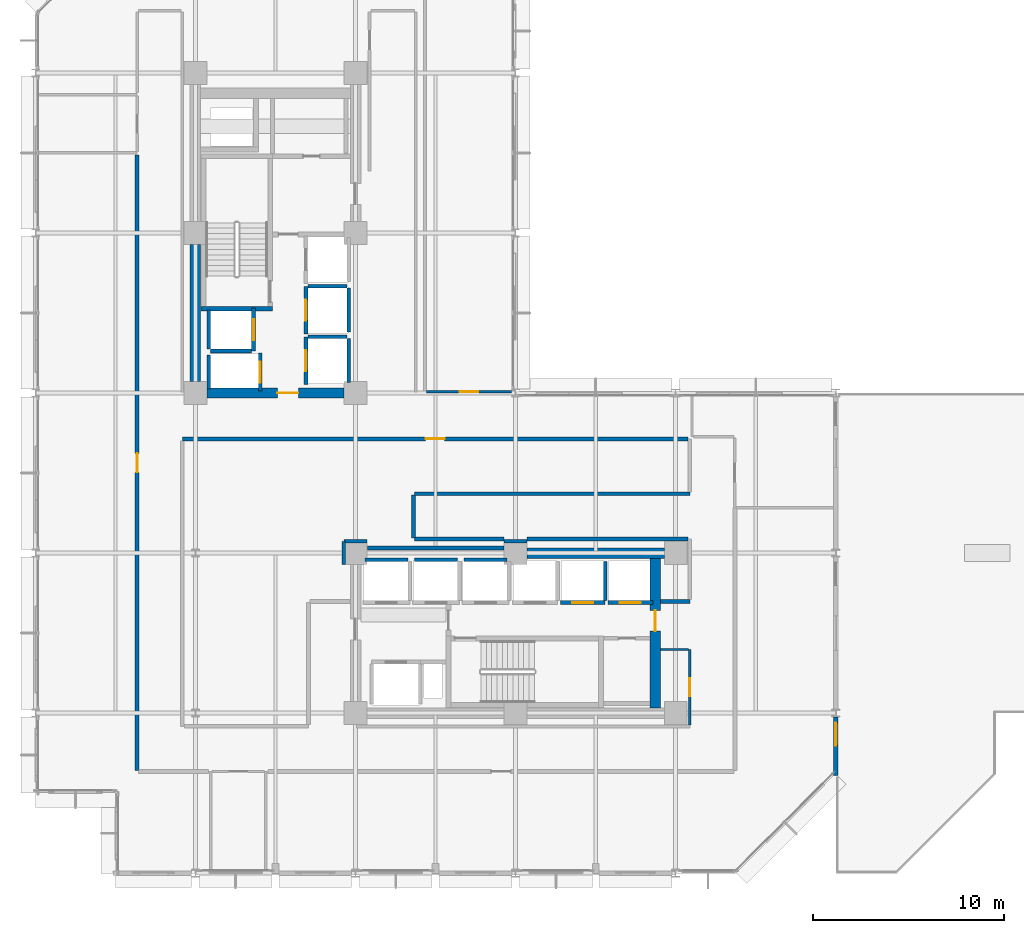
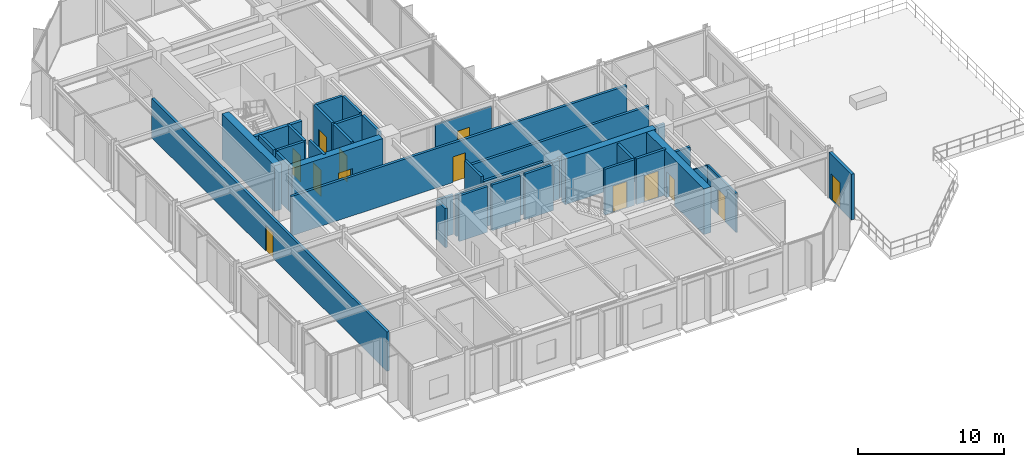
# One storey, part 19 of 25: 37 walls, 13 doors, 13 openings.
"""IFC4 building model written with IfcOpenShell, lengths in metres."""

from ifc_helpers import new_model, si_unit, direction, frame, frame_2d, origin, place, context, subcontext, project, spatial, rectangle, extrude, material, layer, layer_set, type_object, element, fill, save


model = new_model("IFC4")

# Units and contexts
model_context = context("Model", 3, precision=1e-05, world=origin(), true_north=direction((0.0, 1.0)))
body_context = subcontext(model_context, "Body", "Model", "MODEL_VIEW")
ifc_project = project(units=[si_unit("LENGTHUNIT", "METRE"), si_unit("AREAUNIT", "SQUARE_METRE"), si_unit("VOLUMEUNIT", "CUBIC_METRE"), si_unit("PLANEANGLEUNIT", "RADIAN"), si_unit("MASSUNIT", "GRAM", prefix="KILO")], contexts=[model_context])

# Site, building, storey
site_placement = place(None, origin())
site = spatial("IfcSite", under=ifc_project, at=site_placement, CompositionType="ELEMENT")
building_placement = place(site_placement, origin())
building = spatial("IfcBuilding", under=site, at=building_placement, Name="Nerrivon Quay Data Exchange", CompositionType="ELEMENT")
storey_placement = place(building_placement, frame((0.0, 0.0, 113.10009765625)))
storey = spatial("IfcBuildingStorey", under=building, at=storey_placement, Name="L26", CompositionType="ELEMENT", Elevation=113.10009765625)

# Wall, opening, door
ifc_material_1 = material(Name="Architectural terracotta precast concrete N50 (50 MPa)", Category="masonry")
ifc_layer_1 = layer(ifc_material_1, 0.239990234375)
ifc_layer_set_1 = layer_set([ifc_layer_1], Name="Architectural terracotta precast concrete N50 (50 MPa)")
wall_type_1 = type_object("IfcWallType", Name="EW-PREC-240", PredefinedType="STANDARD", material=ifc_layer_set_1)
wall_1_placement = place(storey_placement, frame((42.0, 8.199951171875, 0.0), z_axis=(0.0, 0.0, 1.0), x_axis=(0.0, -1.0, 0.0)))
wall_1 = element("IfcWall", 1, at=wall_1_placement, inside=storey, type_object=wall_type_1, Name="L26 Terrace Host Wall 31", PredefinedType="STANDARD", context=body_context, shape_type="SweptSolid", body=[
    extrude(rectangle(XDim=3.07470703125, YDim=0.239990234375, at=frame_2d((1.537353515625, 0.0))), origin(), (0.0, 0.0, 1.0), 3.824951171875),
])
opening_1_placement = place(wall_1_placement, frame((0.300048828125, 0.0, 0.0)))
opening_1 = element("IfcOpeningElement", 2, at=opening_1_placement, cuts=wall_1, Name="Opening TD1", PredefinedType="OPENING", context=body_context, shape_type="SweptSolid", body=[
    extrude(rectangle(XDim=1.199951171875, YDim=2.199951171875, at=frame_2d((0.60009765625, 1.10009765625))), frame((0.0, 0.1298828125, 0.0), z_axis=(0.0, -1.0, 0.0), x_axis=(1.0, 0.0, 0.0)), (0.0, 0.0, 1.0), 0.260009765625),
])
ifc_material_2 = material(Name="Double-glazed low-E solar control glass", Category="glass")
door_type_1 = type_object("IfcDoorType", Name="DR-TERR-1200x2200", OperationType="NOTDEFINED", PredefinedType="DOOR", material=ifc_material_2)
door_1_placement = place(opening_1_placement, origin())
door_1 = element("IfcDoor", 3, at=door_1_placement, inside=storey, type_object=door_type_1, Name="L26 Outdoor Terrace Access Door 31", OperationType="SINGLE_SWING_RIGHT", OverallHeight=2.199951171875, OverallWidth=1.199951171875, PredefinedType="DOOR", context=body_context, shape_type="SweptSolid", body=[
    extrude(rectangle(XDim=1.199951171875, YDim=2.199951171875, at=frame_2d((0.60009765625, 1.10009765625))), frame((0.0, 0.02490234375, 0.0), z_axis=(0.0, -1.0, 0.0), x_axis=(1.0, 0.0, 0.0)), (0.0, 0.0, 1.0), 0.050048828125),
])
fill(opening_1, door_1)

# Wall
ifc_material_3 = material(Name="Concrete S65 (65 MPa)", Category="concrete")
ifc_layer_2 = layer(ifc_material_3, 0.550048828125)
ifc_layer_set_2 = layer_set([ifc_layer_2], Name="Concrete S65 (65 MPa)")
wall_type_2 = type_object("IfcWallType", Name="WALL-CW-700", PredefinedType="SHEAR", material=ifc_layer_set_2)
wall_2_placement = place(storey_placement, frame((8.39990234375, 25.800048828125, 0.0), z_axis=(0.0, 0.0, 1.0), x_axis=(0.0, 1.0, 0.0)))
element("IfcWall", 4, at=wall_2_placement, inside=storey, type_object=wall_type_2, Name="L26 West Split-Core Shear Wall WCW-W1", PredefinedType="SHEAR", context=body_context, shape_type="SweptSolid", body=[
    extrude(rectangle(XDim=7.199951171875, YDim=0.550048828125, at=frame_2d((3.60009765625, 0.0))), origin(), (0.0, 0.0, 1.0), 3.824951171875),
])

# Wall, opening, door
wall_3_placement = place(storey_placement, frame((9.0, 25.199951171875, 0.0), z_axis=(0.0, 0.0, 1.0), x_axis=(1.0, 0.0, 0.0)))
wall_3 = element("IfcWall", 5, at=wall_3_placement, inside=storey, type_object=wall_type_2, Name="L26 West Split-Core Shear Wall WCW-S1", PredefinedType="SHEAR", context=body_context, shape_type="SweptSolid", body=[
    extrude(rectangle(XDim=7.199951171875, YDim=0.550048828125, at=frame_2d((3.60009765625, 0.0))), origin(), (0.0, 0.0, 1.0), 3.824951171875),
])
opening_2_placement = place(wall_3_placement, frame((3.699951171875, 0.0, 0.0)))
opening_2 = element("IfcOpeningElement", 6, at=opening_2_placement, cuts=wall_3, Name="Opening FD-120", PredefinedType="OPENING", context=body_context, shape_type="SweptSolid", body=[
    extrude(rectangle(XDim=1.10009765625, YDim=2.14990234375, at=frame_2d((0.550048828125, 1.074951171875))), frame((0.0, 0.284912109375, 0.0), z_axis=(0.0, -1.0, 0.0), x_axis=(1.0, 0.0, 0.0)), (0.0, 0.0, 1.0), 0.570068359375),
])
ifc_material_4 = material(Name="Powder-coated galvanized steel sheet", Category="steel")
door_type_2 = type_object("IfcDoorType", Name="DR-FD120-1100", OperationType="NOTDEFINED", PredefinedType="DOOR", material=ifc_material_4)
door_2_placement = place(opening_2_placement, origin())
door_2 = element("IfcDoor", 7, at=door_2_placement, inside=storey, type_object=door_type_2, Name="L26 West Core Lobby Fire Door", OperationType="SINGLE_SWING_RIGHT", OverallHeight=2.14990234375, OverallWidth=1.10009765625, PredefinedType="DOOR", context=body_context, shape_type="SweptSolid", body=[
    extrude(rectangle(XDim=1.10009765625, YDim=2.14990234375, at=frame_2d((0.550048828125, 1.074951171875))), frame((0.0, 0.02490234375, 0.0), z_axis=(0.0, -1.0, 0.0), x_axis=(1.0, 0.0, 0.0)), (0.0, 0.0, 1.0), 0.050048828125),
])
fill(opening_2, door_2)

wall_4_placement = place(storey_placement, frame((32.52490234375, 8.675048828125, 0.0), z_axis=(0.0, 0.0, 1.0), x_axis=(0.0, 1.0, 0.0)))
wall_4 = element("IfcWall", 8, at=wall_4_placement, inside=storey, type_object=wall_type_2, Name="L26 East Split-Core Shear Wall ECW-E1", PredefinedType="SHEAR", context=body_context, shape_type="SweptSolid", body=[
    extrude(rectangle(XDim=7.849853515625, YDim=0.550048828125, at=frame_2d((3.9248046875, 0.0))), origin(), (0.0, 0.0, 1.0), 3.824951171875),
])
opening_3_placement = place(wall_4_placement, frame((4.02490234375, 0.0, 0.0)))
opening_3 = element("IfcOpeningElement", 9, at=opening_3_placement, cuts=wall_4, Name="Opening FD-120", PredefinedType="OPENING", context=body_context, shape_type="SweptSolid", body=[
    extrude(rectangle(XDim=1.10009765625, YDim=2.14990234375, at=frame_2d((0.550048828125, 1.074951171875))), frame((0.0, 0.284912109375, 0.0), z_axis=(0.0, -1.0, 0.0), x_axis=(1.0, 0.0, 0.0)), (0.0, 0.0, 1.0), 0.570068359375),
])
door_3_placement = place(opening_3_placement, origin())
door_3 = element("IfcDoor", 10, at=door_3_placement, inside=storey, type_object=door_type_2, Name="L26 East Core Lobby Fire Door", OperationType="SINGLE_SWING_LEFT", OverallHeight=2.14990234375, OverallWidth=1.10009765625, PredefinedType="DOOR", context=body_context, shape_type="SweptSolid", body=[
    extrude(rectangle(XDim=1.10009765625, YDim=2.14990234375, at=frame_2d((0.550048828125, 1.074951171875))), frame((0.0, 0.02490234375, 0.0), z_axis=(0.0, -1.0, 0.0), x_axis=(1.0, 0.0, 0.0)), (0.0, 0.0, 1.0), 0.050048828125),
])
fill(opening_3, door_3)

# Wall
wall_5_placement = place(storey_placement, frame((25.800048828125, 16.800048828125, 0.0), z_axis=(0.0, 0.0, 1.0), x_axis=(1.0, 0.0, 0.0)))
element("IfcWall", 11, at=wall_5_placement, inside=storey, type_object=wall_type_2, Name="L26 East Split-Core Shear Wall ECW-N1", PredefinedType="SHEAR", context=body_context, shape_type="SweptSolid", body=[
    extrude(rectangle(XDim=7.199951171875, YDim=0.550048828125, at=frame_2d((3.60009765625, 0.0))), origin(), (0.0, 0.0, 1.0), 3.824951171875),
])

# Wall, opening, door
ifc_material_5 = material(Name="Gypsum plasterboard on cold-formed framing", Category="gypsum")
ifc_layer_3 = layer(ifc_material_5, 0.199951171875)
ifc_layer_set_3 = layer_set([ifc_layer_3], Name="Gypsum plasterboard on cold-formed framing")
wall_type_3 = type_object("IfcWallType", Name="WALL-FW-200", PredefinedType="PARTITIONING", material=ifc_layer_set_3)
wall_6_placement = place(storey_placement, frame((11.449951171875, 27.39990234375, 0.0), z_axis=(0.0, 0.0, 1.0), x_axis=(0.0, 1.0, 0.0)))
wall_6 = element("IfcWall", 12, at=wall_6_placement, inside=storey, type_object=wall_type_3, Name="L26 Lift Front Wall FFL-1", PredefinedType="PARTITIONING", context=body_context, shape_type="SweptSolid", body=[
    extrude(rectangle(XDim=2.25, YDim=0.199951171875, at=frame_2d((1.125, 0.0))), origin(), (0.0, 0.0, 1.0), 3.824951171875),
])
opening_4_placement = place(wall_6_placement, frame((0.574951171875, 0.0, 0.0)))
opening_4 = element("IfcOpeningElement", 13, at=opening_4_placement, cuts=wall_6, Name="Opening LD-120", PredefinedType="OPENING", context=body_context, shape_type="SweptSolid", body=[
    extrude(rectangle(XDim=1.10009765625, YDim=2.199951171875, at=frame_2d((0.550048828125, 1.10009765625))), frame((0.0, 0.10986328125, 0.0), z_axis=(0.0, -1.0, 0.0), x_axis=(1.0, 0.0, 0.0)), (0.0, 0.0, 1.0), 0.219970703125),
])
door_type_3 = type_object("IfcDoorType", Name="DR-LIFT-LD120", OperationType="DOUBLE_DOOR_SLIDING", PredefinedType="DOOR", material=ifc_material_4)
door_4_placement = place(opening_4_placement, origin())
door_4 = element("IfcDoor", 14, at=door_4_placement, inside=storey, type_object=door_type_3, Name="L26 Lift Landing Sliding Door FFL-1", OperationType="DOUBLE_DOOR_SLIDING", OverallHeight=2.199951171875, OverallWidth=1.10009765625, PredefinedType="DOOR", context=body_context, shape_type="SweptSolid", body=[
    extrude(rectangle(XDim=1.10009765625, YDim=2.199951171875, at=frame_2d((0.550048828125, 1.10009765625))), frame((0.0, 0.02490234375, 0.0), z_axis=(0.0, -1.0, 0.0), x_axis=(1.0, 0.0, 0.0)), (0.0, 0.0, 1.0), 0.050048828125),
])
fill(opening_4, door_4)

# Walls
wall_7_placement = place(storey_placement, frame((9.10009765625, 27.5, 0.0), z_axis=(0.0, 0.0, 1.0), x_axis=(0.0, 1.0, 0.0)))
element("IfcWall", 15, at=wall_7_placement, inside=storey, type_object=wall_type_3, Name="L26 Lift Shaft Wall FFL-1 WEST", PredefinedType="PARTITIONING", context=body_context, shape_type="SweptSolid", body=[
    extrude(rectangle(XDim=2.050048828125, YDim=0.199951171875, at=frame_2d((1.02490234375, 0.0))), origin(), (0.0, 0.0, 1.0), 3.824951171875),
])
wall_8_placement = place(storey_placement, frame((9.199951171875, 27.39990234375, 0.0), z_axis=(0.0, 0.0, 1.0), x_axis=(1.0, 0.0, 0.0)))
element("IfcWall", 16, at=wall_8_placement, inside=storey, type_object=wall_type_3, Name="L26 Lift Shaft Wall FFL-1 SOUTH", PredefinedType="PARTITIONING", context=body_context, shape_type="SweptSolid", body=[
    extrude(rectangle(XDim=2.150146484375, YDim=0.199951171875, at=frame_2d((1.0751953125, 0.0))), origin(), (0.0, 0.0, 1.0), 3.824951171875),
])

# Wall, opening, door
wall_9_placement = place(storey_placement, frame((11.800048828125, 25.300048828125, 0.0), z_axis=(0.0, 0.0, 1.0), x_axis=(0.0, 1.0, 0.0)))
wall_9 = element("IfcWall", 17, at=wall_9_placement, inside=storey, type_object=wall_type_3, Name="L26 Lift Front Wall SVL-1", PredefinedType="PARTITIONING", context=body_context, shape_type="SweptSolid", body=[
    extrude(rectangle(XDim=2.0, YDim=0.199951171875, at=frame_2d((1.0, 0.0))), origin(), (0.0, 0.0, 1.0), 3.824951171875),
])
opening_5_placement = place(wall_9_placement, frame((0.449951171875, 0.0, 0.0)))
opening_5 = element("IfcOpeningElement", 18, at=opening_5_placement, cuts=wall_9, Name="Opening LD-120", PredefinedType="OPENING", context=body_context, shape_type="SweptSolid", body=[
    extrude(rectangle(XDim=1.10009765625, YDim=2.199951171875, at=frame_2d((0.550048828125, 1.10009765625))), frame((0.0, 0.10986328125, 0.0), z_axis=(0.0, -1.0, 0.0), x_axis=(1.0, 0.0, 0.0)), (0.0, 0.0, 1.0), 0.219970703125),
])
door_5_placement = place(opening_5_placement, origin())
door_5 = element("IfcDoor", 19, at=door_5_placement, inside=storey, type_object=door_type_3, Name="L26 Lift Landing Sliding Door SVL-1", OperationType="DOUBLE_DOOR_SLIDING", OverallHeight=2.199951171875, OverallWidth=1.10009765625, PredefinedType="DOOR", context=body_context, shape_type="SweptSolid", body=[
    extrude(rectangle(XDim=1.10009765625, YDim=2.199951171875, at=frame_2d((0.550048828125, 1.10009765625))), frame((0.0, 0.02490234375, 0.0), z_axis=(0.0, -1.0, 0.0), x_axis=(1.0, 0.0, 0.0)), (0.0, 0.0, 1.0), 0.050048828125),
])
fill(opening_5, door_5)

# Wall
wall_10_placement = place(storey_placement, frame((9.10009765625, 25.39990234375, 0.0), z_axis=(0.0, 0.0, 1.0), x_axis=(0.0, 1.0, 0.0)))
element("IfcWall", 20, at=wall_10_placement, inside=storey, type_object=wall_type_3, Name="L26 Lift Shaft Wall SVL-1 WEST", PredefinedType="PARTITIONING", context=body_context, shape_type="SweptSolid", body=[
    extrude(rectangle(XDim=1.800048828125, YDim=0.199951171875, at=frame_2d((0.89990234375, 0.0))), origin(), (0.0, 0.0, 1.0), 3.824951171875),
])

# Wall, opening, door
wall_11_placement = place(storey_placement, frame((14.199951171875, 25.64990234375, 0.0), z_axis=(0.0, 0.0, 1.0), x_axis=(0.0, 1.0, 0.0)))
wall_11 = element("IfcWall", 21, at=wall_11_placement, inside=storey, type_object=wall_type_3, Name="L26 Lift Front Wall PL1", PredefinedType="PARTITIONING", context=body_context, shape_type="SweptSolid", body=[
    extrude(rectangle(XDim=2.5, YDim=0.199951171875, at=frame_2d((1.25, 0.0))), origin(), (0.0, 0.0, 1.0), 3.824951171875),
])
opening_6_placement = place(wall_11_placement, frame((0.699951171875, 0.0, 0.0)))
opening_6 = element("IfcOpeningElement", 22, at=opening_6_placement, cuts=wall_11, Name="Opening LD-120", PredefinedType="OPENING", context=body_context, shape_type="SweptSolid", body=[
    extrude(rectangle(XDim=1.10009765625, YDim=2.199951171875, at=frame_2d((0.550048828125, 1.10009765625))), frame((0.0, 0.10986328125, 0.0), z_axis=(0.0, -1.0, 0.0), x_axis=(1.0, 0.0, 0.0)), (0.0, 0.0, 1.0), 0.219970703125),
])
door_6_placement = place(opening_6_placement, origin())
door_6 = element("IfcDoor", 23, at=door_6_placement, inside=storey, type_object=door_type_3, Name="L26 Lift Landing Sliding Door PL1", OperationType="DOUBLE_DOOR_SLIDING", OverallHeight=2.199951171875, OverallWidth=1.10009765625, PredefinedType="DOOR", context=body_context, shape_type="SweptSolid", body=[
    extrude(rectangle(XDim=1.10009765625, YDim=2.199951171875, at=frame_2d((0.550048828125, 1.10009765625))), frame((0.0, 0.02490234375, 0.0), z_axis=(0.0, -1.0, 0.0), x_axis=(1.0, 0.0, 0.0)), (0.0, 0.0, 1.0), 0.050048828125),
])
fill(opening_6, door_6)

# Walls
wall_12_placement = place(storey_placement, frame((16.449951171875, 25.75, 0.0), z_axis=(0.0, 0.0, 1.0), x_axis=(0.0, 1.0, 0.0)))
element("IfcWall", 24, at=wall_12_placement, inside=storey, type_object=wall_type_3, Name="L26 Lift Shaft Wall PL1 EAST", PredefinedType="PARTITIONING", context=body_context, shape_type="SweptSolid", body=[
    extrude(rectangle(XDim=2.300048828125, YDim=0.199951171875, at=frame_2d((1.14990234375, 0.0))), origin(), (0.0, 0.0, 1.0), 3.824951171875),
])
wall_13_placement = place(storey_placement, frame((14.300048828125, 28.14990234375, 0.0), z_axis=(0.0, 0.0, 1.0), x_axis=(1.0, 0.0, 0.0)))
element("IfcWall", 25, at=wall_13_placement, inside=storey, type_object=wall_type_3, Name="L26 Lift Shaft Wall PL1 NORTH", PredefinedType="PARTITIONING", context=body_context, shape_type="SweptSolid", body=[
    extrude(rectangle(XDim=2.050048828125, YDim=0.199951171875, at=frame_2d((1.02490234375, 0.0))), origin(), (0.0, 0.0, 1.0), 3.824951171875),
])

# Wall, opening, door
wall_14_placement = place(storey_placement, frame((14.199951171875, 28.300048828125, 0.0), z_axis=(0.0, 0.0, 1.0), x_axis=(0.0, 1.0, 0.0)))
wall_14 = element("IfcWall", 26, at=wall_14_placement, inside=storey, type_object=wall_type_3, Name="L26 Lift Front Wall PL2", PredefinedType="PARTITIONING", context=body_context, shape_type="SweptSolid", body=[
    extrude(rectangle(XDim=2.5, YDim=0.199951171875, at=frame_2d((1.25, 0.0))), origin(), (0.0, 0.0, 1.0), 3.824951171875),
])
opening_7_placement = place(wall_14_placement, frame((0.699951171875, 0.0, 0.0)))
opening_7 = element("IfcOpeningElement", 27, at=opening_7_placement, cuts=wall_14, Name="Opening LD-120", PredefinedType="OPENING", context=body_context, shape_type="SweptSolid", body=[
    extrude(rectangle(XDim=1.10009765625, YDim=2.199951171875, at=frame_2d((0.550048828125, 1.10009765625))), frame((0.0, 0.10986328125, 0.0), z_axis=(0.0, -1.0, 0.0), x_axis=(1.0, 0.0, 0.0)), (0.0, 0.0, 1.0), 0.219970703125),
])
door_7_placement = place(opening_7_placement, origin())
door_7 = element("IfcDoor", 28, at=door_7_placement, inside=storey, type_object=door_type_3, Name="L26 Lift Landing Sliding Door PL2", OperationType="DOUBLE_DOOR_SLIDING", OverallHeight=2.199951171875, OverallWidth=1.10009765625, PredefinedType="DOOR", context=body_context, shape_type="SweptSolid", body=[
    extrude(rectangle(XDim=1.10009765625, YDim=2.199951171875, at=frame_2d((0.550048828125, 1.10009765625))), frame((0.0, 0.02490234375, 0.0), z_axis=(0.0, -1.0, 0.0), x_axis=(1.0, 0.0, 0.0)), (0.0, 0.0, 1.0), 0.050048828125),
])
fill(opening_7, door_7)

# Walls
wall_15_placement = place(storey_placement, frame((16.449951171875, 28.39990234375, 0.0), z_axis=(0.0, 0.0, 1.0), x_axis=(0.0, 1.0, 0.0)))
element("IfcWall", 29, at=wall_15_placement, inside=storey, type_object=wall_type_3, Name="L26 Lift Shaft Wall PL2 EAST", PredefinedType="PARTITIONING", context=body_context, shape_type="SweptSolid", body=[
    extrude(rectangle(XDim=2.300048828125, YDim=0.199951171875, at=frame_2d((1.14990234375, 0.0))), origin(), (0.0, 0.0, 1.0), 3.824951171875),
])
wall_16_placement = place(storey_placement, frame((14.300048828125, 30.800048828125, 0.0), z_axis=(0.0, 0.0, 1.0), x_axis=(1.0, 0.0, 0.0)))
element("IfcWall", 30, at=wall_16_placement, inside=storey, type_object=wall_type_3, Name="L26 Lift Shaft Wall PL2 NORTH", PredefinedType="PARTITIONING", context=body_context, shape_type="SweptSolid", body=[
    extrude(rectangle(XDim=2.050048828125, YDim=0.199951171875, at=frame_2d((1.02490234375, 0.0))), origin(), (0.0, 0.0, 1.0), 3.824951171875),
])
for number, where, z_axis, x_axis, name in (
    (31, (17.300048828125, 16.449951171875, 0.0), (0.0, 0.0, 1.0), (1.0, 0.0, 0.0), "L26 Lift Shaft Wall PL4 NORTH"),
    (32, (19.89990234375, 16.449951171875, 0.0), (0.0, 0.0, 1.0), (1.0, 0.0, 0.0), "L26 Lift Shaft Wall PL5 NORTH"),
    (33, (22.5, 16.449951171875, 0.0), (0.0, 0.0, 1.0), (1.0, 0.0, 0.0), "L26 Lift Shaft Wall PL6 NORTH"),
):
    element("IfcWall", number, at=place(storey_placement, frame(where, z_axis=z_axis, x_axis=x_axis)), inside=storey, type_object=wall_type_3, Name=name, PredefinedType="PARTITIONING", context=body_context, shape_type="SweptSolid", body=[
        extrude(rectangle(XDim=2.25, YDim=0.199951171875, at=frame_2d((1.125, 0.0))), origin(), (0.0, 0.0, 1.0), 3.824951171875),
    ])

# Wall, opening, door
wall_17_placement = place(storey_placement, frame((27.550048828125, 14.199951171875, 0.0), z_axis=(0.0, 0.0, 1.0), x_axis=(1.0, 0.0, 0.0)))
wall_17 = element("IfcWall", 34, at=wall_17_placement, inside=storey, type_object=wall_type_3, Name="L26 Lift Front Wall PL8", PredefinedType="PARTITIONING", context=body_context, shape_type="SweptSolid", body=[
    extrude(rectangle(XDim=2.349853515625, YDim=0.199951171875, at=frame_2d((1.1748046875, 0.0))), origin(), (0.0, 0.0, 1.0), 3.824951171875),
])
opening_8_placement = place(wall_17_placement, frame((0.625, 0.0, 0.0)))
opening_8 = element("IfcOpeningElement", 35, at=opening_8_placement, cuts=wall_17, Name="Opening LD-120", PredefinedType="OPENING", context=body_context, shape_type="SweptSolid", body=[
    extrude(rectangle(XDim=1.10009765625, YDim=2.199951171875, at=frame_2d((0.550048828125, 1.10009765625))), frame((0.0, 0.10986328125, 0.0), z_axis=(0.0, -1.0, 0.0), x_axis=(1.0, 0.0, 0.0)), (0.0, 0.0, 1.0), 0.219970703125),
])
door_8_placement = place(opening_8_placement, origin())
door_8 = element("IfcDoor", 36, at=door_8_placement, inside=storey, type_object=door_type_3, Name="L26 Lift Landing Sliding Door PL8", OperationType="DOUBLE_DOOR_SLIDING", OverallHeight=2.199951171875, OverallWidth=1.10009765625, PredefinedType="DOOR", context=body_context, shape_type="SweptSolid", body=[
    extrude(rectangle(XDim=1.10009765625, YDim=2.199951171875, at=frame_2d((0.550048828125, 1.10009765625))), frame((0.0, 0.02490234375, 0.0), z_axis=(0.0, -1.0, 0.0), x_axis=(1.0, 0.0, 0.0)), (0.0, 0.0, 1.0), 0.050048828125),
])
fill(opening_8, door_8)

# Wall
wall_18_placement = place(storey_placement, frame((29.89990234375, 14.300048828125, 0.0), z_axis=(0.0, 0.0, 1.0), x_axis=(0.0, 1.0, 0.0)))
element("IfcWall", 37, at=wall_18_placement, inside=storey, type_object=wall_type_3, Name="L26 Lift Shaft Wall PL8 EAST", PredefinedType="PARTITIONING", context=body_context, shape_type="SweptSolid", body=[
    extrude(rectangle(XDim=2.050048828125, YDim=0.199951171875, at=frame_2d((1.02490234375, 0.0))), origin(), (0.0, 0.0, 1.0), 3.824951171875),
])

# Wall, opening, door
wall_19_placement = place(storey_placement, frame((30.050048828125, 14.199951171875, 0.0), z_axis=(0.0, 0.0, 1.0), x_axis=(1.0, 0.0, 0.0)))
wall_19 = element("IfcWall", 38, at=wall_19_placement, inside=storey, type_object=wall_type_3, Name="L26 Lift Front Wall PL9", PredefinedType="PARTITIONING", context=body_context, shape_type="SweptSolid", body=[
    extrude(rectangle(XDim=2.349853515625, YDim=0.199951171875, at=frame_2d((1.1748046875, 0.0))), origin(), (0.0, 0.0, 1.0), 3.824951171875),
])
opening_9_placement = place(wall_19_placement, frame((0.625, 0.0, 0.0)))
opening_9 = element("IfcOpeningElement", 39, at=opening_9_placement, cuts=wall_19, Name="Opening LD-120", PredefinedType="OPENING", context=body_context, shape_type="SweptSolid", body=[
    extrude(rectangle(XDim=1.10009765625, YDim=2.199951171875, at=frame_2d((0.550048828125, 1.10009765625))), frame((0.0, 0.10986328125, 0.0), z_axis=(0.0, -1.0, 0.0), x_axis=(1.0, 0.0, 0.0)), (0.0, 0.0, 1.0), 0.219970703125),
])
door_9_placement = place(opening_9_placement, origin())
door_9 = element("IfcDoor", 40, at=door_9_placement, inside=storey, type_object=door_type_3, Name="L26 Lift Landing Sliding Door PL9", OperationType="DOUBLE_DOOR_SLIDING", OverallHeight=2.199951171875, OverallWidth=1.10009765625, PredefinedType="DOOR", context=body_context, shape_type="SweptSolid", body=[
    extrude(rectangle(XDim=1.10009765625, YDim=2.199951171875, at=frame_2d((0.550048828125, 1.10009765625))), frame((0.0, 0.02490234375, 0.0), z_axis=(0.0, -1.0, 0.0), x_axis=(1.0, 0.0, 0.0)), (0.0, 0.0, 1.0), 0.050048828125),
])
fill(opening_9, door_9)

# Walls
wall_20_placement = place(storey_placement, frame((16.180908203125, 16.194091796875, 0.0), z_axis=(0.0, 0.0, 1.0), x_axis=(-0.000809880277, 0.999999672047, 0.0)))
element("IfcWall", 41, at=wall_20_placement, inside=storey, type_object=wall_type_3, Name="L26 Partition Colocation Data Workspace 1", PredefinedType="PARTITIONING", context=body_context, shape_type="SweptSolid", body=[
    extrude(rectangle(XDim=1.205810546875, YDim=0.199951171875, at=frame_2d((0.60302734375, 0.0))), origin(), (0.0, 0.0, 1.0), 3.2919921875),
])
wall_21_placement = place(storey_placement, frame((16.199951171875, 17.419921875, 0.0), z_axis=(0.0, 0.0, 1.0), x_axis=(0.999999815526, -0.000607410295, 0.0)))
element("IfcWall", 42, at=wall_21_placement, inside=storey, type_object=wall_type_3, Name="L26 Partition Colocation Data Workspace 1", PredefinedType="PARTITIONING", context=body_context, shape_type="SweptSolid", body=[
    extrude(rectangle(XDim=1.205810546875, YDim=0.199951171875, at=frame_2d((0.60302734375, 0.0))), origin(), (0.0, 0.0, 1.0), 3.296875),
])
wall_22_placement = place(storey_placement, frame((17.419921875, 17.074951171875, 0.0), z_axis=(0.0, 0.0, 1.0), x_axis=(1.0, 0.0, 0.0)))
element("IfcWall", 43, at=wall_22_placement, inside=storey, type_object=wall_type_3, Name="L26 Partition Colocation Data Workspace 1", PredefinedType="PARTITIONING", context=body_context, shape_type="SweptSolid", body=[
    extrude(rectangle(XDim=7.16015625, YDim=0.199951171875, at=frame_2d((3.580078125, 0.0))), origin(), (0.0, 0.0, 1.0), 3.468994140625),
])
wall_23_placement = place(storey_placement, frame((24.59423828125, 17.419189453125, 0.0), z_axis=(0.0, 0.0, 1.0), x_axis=(0.999999815526, 0.000607410295, 0.0)))
element("IfcWall", 44, at=wall_23_placement, inside=storey, type_object=wall_type_3, Name="L26 Partition Colocation Data Workspace 1", PredefinedType="PARTITIONING", context=body_context, shape_type="SweptSolid", body=[
    extrude(rectangle(XDim=1.205810546875, YDim=0.199951171875, at=frame_2d((0.60302734375, 0.0))), origin(), (0.0, 0.0, 1.0), 3.296875),
])
wall_24_placement = place(storey_placement, frame((32.803955078125, 14.260009765625, 0.0), z_axis=(0.0, 0.0, 1.0), x_axis=(1.0, 0.0, 0.0)))
element("IfcWall", 45, at=wall_24_placement, inside=storey, type_object=wall_type_3, Name="L26 Partition Colocation Data Workspace 1", PredefinedType="PARTITIONING", context=body_context, shape_type="SweptSolid", body=[
    extrude(rectangle(XDim=1.5361328125, YDim=0.199951171875, at=frame_2d((0.76806640625, 0.0))), origin(), (0.0, 0.0, 1.0), 3.296875),
])
wall_25_placement = place(storey_placement, frame((34.236083984375, 17.5400390625, 0.0), z_axis=(0.0, 0.0, 1.0), x_axis=(-1.0, 0.0, 0.0)))
element("IfcWall", 46, at=wall_25_placement, inside=storey, type_object=wall_type_3, Name="L26 Partition Colocation Data Workspace 1", PredefinedType="PARTITIONING", context=body_context, shape_type="SweptSolid", body=[
    extrude(rectangle(XDim=8.436279296875, YDim=0.199951171875, at=frame_2d((4.21826171875, 0.0))), origin(), (0.0, 0.0, 1.0), 3.296875),
])
wall_26_placement = place(storey_placement, frame((24.593994140625, 17.5400390625, 0.0), z_axis=(0.0, 0.0, 1.0), x_axis=(-1.0, 0.0, 0.0)))
element("IfcWall", 47, at=wall_26_placement, inside=storey, type_object=wall_type_3, Name="L26 Partition Colocation Data Workspace 1", PredefinedType="PARTITIONING", context=body_context, shape_type="SweptSolid", body=[
    extrude(rectangle(XDim=4.694091796875, YDim=0.199951171875, at=frame_2d((2.34716796875, 0.0))), origin(), (0.0, 0.0, 1.0), 3.468994140625),
])
wall_27_placement = place(storey_placement, frame((19.840087890625, 17.60009765625, 0.0), z_axis=(0.0, 0.0, 1.0), x_axis=(0.0, 1.0, 0.0)))
element("IfcWall", 48, at=wall_27_placement, inside=storey, type_object=wall_type_3, Name="L26 Partition Colocation Data Workspace 1", PredefinedType="PARTITIONING", context=body_context, shape_type="SweptSolid", body=[
    extrude(rectangle(XDim=2.25, YDim=0.199951171875, at=frame_2d((1.125, 0.0))), origin(), (0.0, 0.0, 1.0), 3.824951171875),
])
wall_28_placement = place(storey_placement, frame((19.89990234375, 19.909912109375, 0.0), z_axis=(0.0, 0.0, 1.0), x_axis=(1.0, 0.0, 0.0)))
element("IfcWall", 49, at=wall_28_placement, inside=storey, type_object=wall_type_3, Name="L26 Partition Colocation Data Workspace 1", PredefinedType="PARTITIONING", context=body_context, shape_type="SweptSolid", body=[
    extrude(rectangle(XDim=14.440185546875, YDim=0.199951171875, at=frame_2d((7.22021484375, 0.0))), origin(), (0.0, 0.0, 1.0), 3.296875),
])

# Wall, opening, door
wall_29_placement = place(storey_placement, frame((34.236083984375, 22.7900390625, 0.0), z_axis=(0.0, 0.0, 1.0), x_axis=(-1.0, 0.0, 0.0)))
wall_29 = element("IfcWall", 50, at=wall_29_placement, inside=storey, type_object=wall_type_3, Name="L26 Partition Colocation Data Workspace 1", PredefinedType="PARTITIONING", context=body_context, shape_type="SweptSolid", body=[
    extrude(rectangle(XDim=26.526123046875, YDim=0.199951171875, at=frame_2d((13.26318359375, 0.0))), origin(), (0.0, 0.0, 1.0), 3.296875),
])
opening_10_placement = place(wall_29_placement, frame((12.762939453125, 0.0, 0.0)))
opening_10 = element("IfcOpeningElement", 51, at=opening_10_placement, cuts=wall_29, Name="Opening FD-60", PredefinedType="OPENING", context=body_context, shape_type="SweptSolid", body=[
    extrude(rectangle(XDim=1.0, YDim=2.14990234375, at=frame_2d((0.5, 1.074951171875))), frame((0.0, 0.10986328125, 0.0), z_axis=(0.0, -1.0, 0.0), x_axis=(1.0, 0.0, 0.0)), (0.0, 0.0, 1.0), 0.219970703125),
])
ifc_material_6 = material(Name="Engineered hardwood timber", Category="wood")
door_type_4 = type_object("IfcDoorType", Name="DR-FD60-1000", OperationType="NOTDEFINED", PredefinedType="DOOR", material=ifc_material_6)
door_10_placement = place(opening_10_placement, origin())
door_10 = element("IfcDoor", 52, at=door_10_placement, inside=storey, type_object=door_type_4, Name="L26 Door Colocation Data Workspace 1", OperationType="SINGLE_SWING_LEFT", OverallHeight=2.14990234375, OverallWidth=1.0, PredefinedType="DOOR", context=body_context, shape_type="SweptSolid", body=[
    extrude(rectangle(XDim=1.0, YDim=2.14990234375, at=frame_2d((0.5, 1.074951171875))), frame((0.0, 0.02490234375, 0.0), z_axis=(0.0, -1.0, 0.0), x_axis=(1.0, 0.0, 0.0)), (0.0, 0.0, 1.0), 0.050048828125),
])
fill(opening_10, door_10)

wall_30_placement = place(storey_placement, frame((5.34033203125, 5.39404296875, 0.0), z_axis=(0.0, 0.0, 1.0), x_axis=(-7.561837e-06, 0.999999999971, 0.0)))
wall_30 = element("IfcWall", 53, at=wall_30_placement, inside=storey, type_object=wall_type_3, Name="L26 Partition Sky Lobby Concierge Foyer", PredefinedType="PARTITIONING", context=body_context, shape_type="SweptSolid", body=[
    extrude(rectangle(XDim=32.285888671875, YDim=0.199951171875, at=frame_2d((16.14306640625, 0.0))), origin(), (0.0, 0.0, 1.0), 3.2919921875),
])
opening_11_placement = place(wall_30_placement, frame((15.64306640625, 0.0, 0.0)))
opening_11 = element("IfcOpeningElement", 54, at=opening_11_placement, cuts=wall_30, Name="Opening FD-60", PredefinedType="OPENING", context=body_context, shape_type="SweptSolid", body=[
    extrude(rectangle(XDim=1.0, YDim=2.14990234375, at=frame_2d((0.5, 1.074951171875))), frame((0.0, 0.10986328125, 0.0), z_axis=(0.0, -1.0, 0.0), x_axis=(1.0, 0.0, 0.0)), (0.0, 0.0, 1.0), 0.219970703125),
])
door_11_placement = place(opening_11_placement, origin())
door_11 = element("IfcDoor", 55, at=door_11_placement, inside=storey, type_object=door_type_4, Name="L26 Door Sky Lobby Concierge Foyer", OperationType="SINGLE_SWING_RIGHT", OverallHeight=2.14990234375, OverallWidth=1.0, PredefinedType="DOOR", context=body_context, shape_type="SweptSolid", body=[
    extrude(rectangle(XDim=1.0, YDim=2.14990234375, at=frame_2d((0.5, 1.074951171875))), frame((0.0, 0.02490234375, 0.0), z_axis=(0.0, -1.0, 0.0), x_axis=(1.0, 0.0, 0.0)), (0.0, 0.0, 1.0), 0.050048828125),
])
fill(opening_11, door_11)

# Wall
ifc_layer_4 = layer(ifc_material_5, 0.1201171875)
ifc_layer_set_4 = layer_set([ifc_layer_4], Name="Gypsum plasterboard on cold-formed framing")
wall_type_4 = type_object("IfcWallType", Name="WALL-PT-120", PredefinedType="PARTITIONING", material=ifc_layer_set_4)
wall_31_placement = place(storey_placement, frame((34.2685546875, 11.739990234375, 0.0), z_axis=(0.0, 0.0, 1.0), x_axis=(-1.0, 0.0, 0.0)))
element("IfcWall", 56, at=wall_31_placement, inside=storey, type_object=wall_type_4, Name="L26 Partition Staff Pantry", PredefinedType="PARTITIONING", context=body_context, shape_type="SweptSolid", body=[
    extrude(rectangle(XDim=1.464599609375, YDim=0.1201171875, at=frame_2d((0.732421875, 0.0))), origin(), (0.0, 0.0, 1.0), 3.296875),
])

# Wall, opening, door
ifc_layer_5 = layer(ifc_material_5, 0.135009765625)
ifc_layer_set_5 = layer_set([ifc_layer_5], Name="Gypsum plasterboard on cold-formed framing")
wall_type_5 = type_object("IfcWallType", Name="WALL-PT-135", PredefinedType="PARTITIONING", material=ifc_layer_set_5)
wall_32_placement = place(storey_placement, frame((34.340087890625, 7.7890625, 0.0), z_axis=(0.0, 0.0, 1.0), x_axis=(0.0, 1.0, 0.0)))
wall_32 = element("IfcWall", 57, at=wall_32_placement, inside=storey, type_object=wall_type_5, Name="L26 Partition Staff Pantry", PredefinedType="PARTITIONING", context=body_context, shape_type="SweptSolid", body=[
    extrude(rectangle(XDim=3.950927734375, YDim=0.135009765625, at=frame_2d((1.9755859375, 0.0))), origin(), (0.0, 0.0, 1.0), 3.2919921875),
])
opening_12_placement = place(wall_32_placement, frame((1.50048828125, 0.0, 0.0)))
opening_12 = element("IfcOpeningElement", 58, at=opening_12_placement, cuts=wall_32, Name="Opening D-01", PredefinedType="OPENING", context=body_context, shape_type="SweptSolid", body=[
    extrude(rectangle(XDim=0.949951171875, YDim=2.14990234375, at=frame_2d((0.47509765625, 1.074951171875))), frame((0.0, 0.077392578125, 0.0), z_axis=(0.0, -1.0, 0.0), x_axis=(1.0, 0.0, 0.0)), (0.0, 0.0, 1.0), 0.155029296875),
])
door_type_5 = type_object("IfcDoorType", Name="DR-INT-950", OperationType="NOTDEFINED", PredefinedType="DOOR", material=ifc_material_6)
door_12_placement = place(opening_12_placement, origin())
door_12 = element("IfcDoor", 59, at=door_12_placement, inside=storey, type_object=door_type_5, Name="L26 Door Staff Pantry", OperationType="SINGLE_SWING_LEFT", OverallHeight=2.14990234375, OverallWidth=0.949951171875, PredefinedType="DOOR", context=body_context, shape_type="SweptSolid", body=[
    extrude(rectangle(XDim=0.949951171875, YDim=2.14990234375, at=frame_2d((0.47509765625, 1.074951171875))), frame((0.0, 0.02490234375, 0.0), z_axis=(0.0, -1.0, 0.0), x_axis=(1.0, 0.0, 0.0)), (0.0, 0.0, 1.0), 0.050048828125),
])
fill(opening_12, door_12)

wall_33_placement = place(storey_placement, frame((20.5302734375, 25.260009765625, 0.0), z_axis=(0.0, 0.0, 1.0), x_axis=(1.0, 0.0, 0.0)))
wall_33 = element("IfcWall", 60, at=wall_33_placement, inside=storey, type_object=wall_type_5, Name="L26 Partition Staff Bistro", PredefinedType="PARTITIONING", context=body_context, shape_type="SweptSolid", body=[
    extrude(rectangle(XDim=4.44970703125, YDim=0.135009765625, at=frame_2d((2.224853515625, 0.0))), origin(), (0.0, 0.0, 1.0), 3.2919921875),
])
opening_13_placement = place(wall_33_placement, frame((1.75, 0.0, 0.0)))
opening_13 = element("IfcOpeningElement", 61, at=opening_13_placement, cuts=wall_33, Name="Opening D-01", PredefinedType="OPENING", context=body_context, shape_type="SweptSolid", body=[
    extrude(rectangle(XDim=0.949951171875, YDim=2.14990234375, at=frame_2d((0.47509765625, 1.074951171875))), frame((0.0, 0.077392578125, 0.0), z_axis=(0.0, -1.0, 0.0), x_axis=(1.0, 0.0, 0.0)), (0.0, 0.0, 1.0), 0.155029296875),
])
door_13_placement = place(opening_13_placement, origin())
door_13 = element("IfcDoor", 62, at=door_13_placement, inside=storey, type_object=door_type_5, Name="L26 Door Staff Bistro", OperationType="SINGLE_SWING_LEFT", OverallHeight=2.14990234375, OverallWidth=0.949951171875, PredefinedType="DOOR", context=body_context, shape_type="SweptSolid", body=[
    extrude(rectangle(XDim=0.949951171875, YDim=2.14990234375, at=frame_2d((0.47509765625, 1.074951171875))), frame((0.0, 0.02490234375, 0.0), z_axis=(0.0, -1.0, 0.0), x_axis=(1.0, 0.0, 0.0)), (0.0, 0.0, 1.0), 0.050048828125),
])
fill(opening_13, door_13)

# Wall
ifc_material_7 = material(Name="Concrete N50 (50 MPa)", Category="concrete")
ifc_layer_6 = layer(ifc_material_7, 0.25)
ifc_layer_set_6 = layer_set([ifc_layer_6], Name="Concrete N50 (50 MPa)")
wall_type_6 = type_object("IfcWallType", Name="WALL-SW-250", PredefinedType="SHEAR", material=ifc_layer_set_6)
wall_34_placement = place(storey_placement, frame((12.449951171875, 29.625, 0.0), z_axis=(0.0, 0.0, 1.0), x_axis=(-1.0, 0.0, 0.0)))
element("IfcWall", 63, at=wall_34_placement, inside=storey, type_object=wall_type_6, Name="L26 ST01 Structural Stair Core Wall NEAR", PredefinedType="SHEAR", context=body_context, shape_type="SweptSolid", body=[
    extrude(rectangle(XDim=3.75, YDim=0.25, at=frame_2d((1.875, 0.0))), origin(), (0.0, 0.0, 1.0), 3.824951171875),
])

save(model, "model.ifc")
